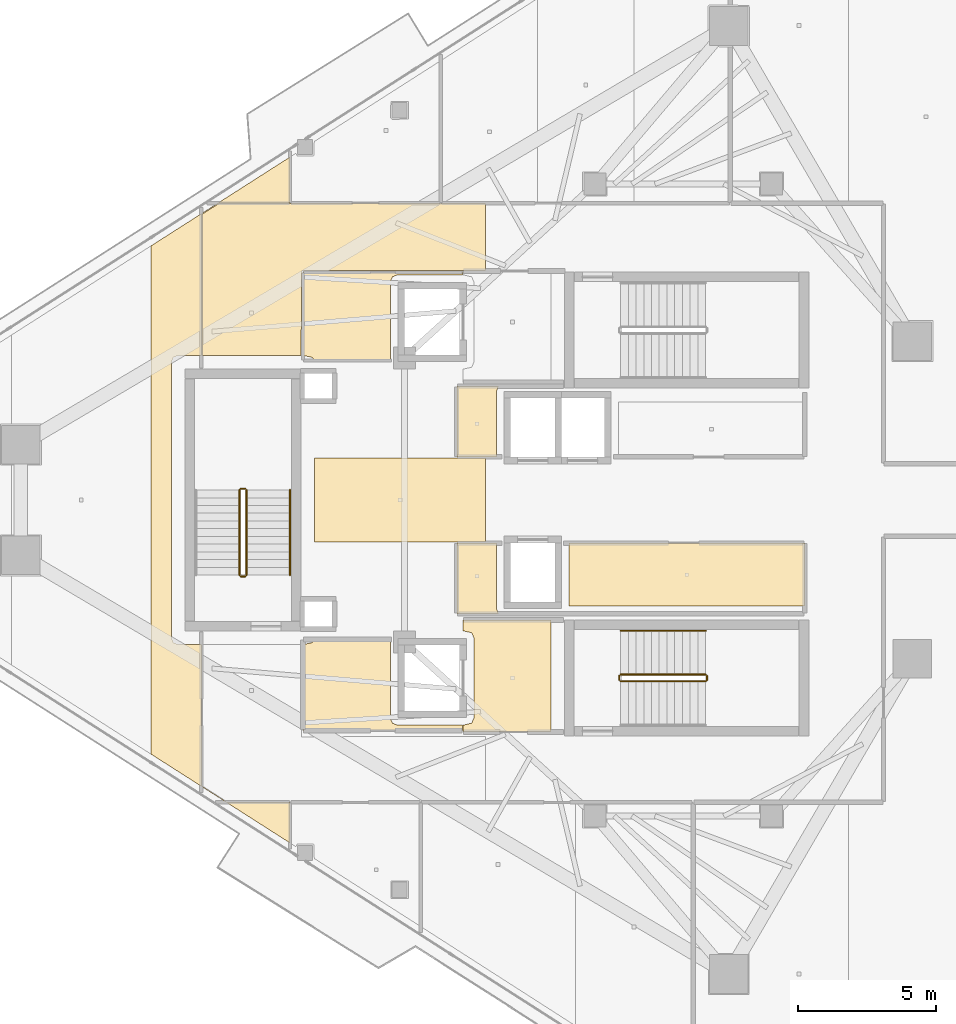
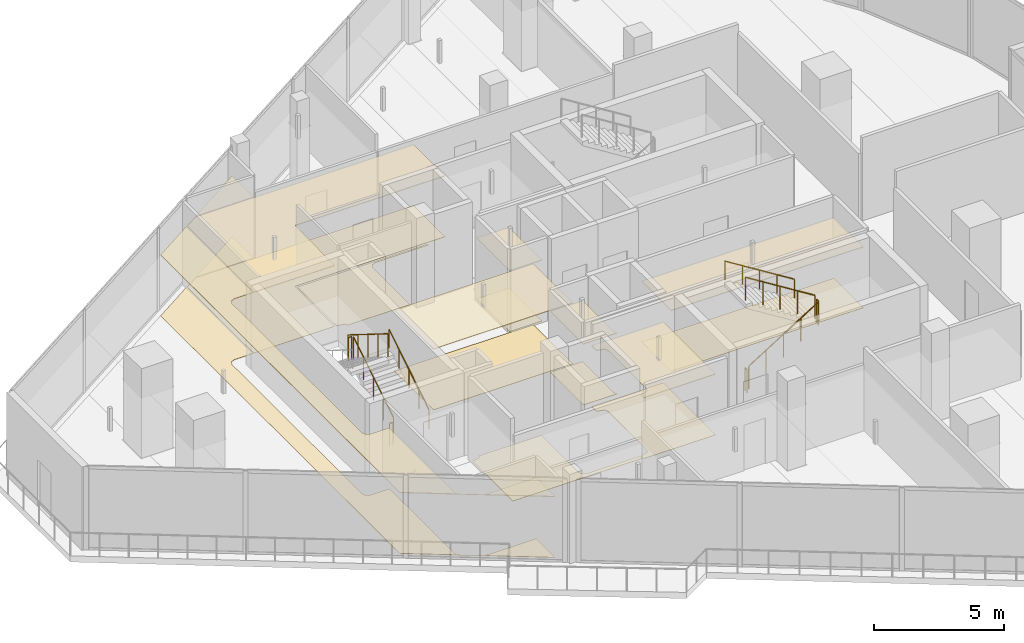
# One storey, part 24 of 27: 16 coverings, 10 railings.
"""IFC4 building model written with IfcOpenShell, lengths in metres."""

from ifc_helpers import new_model, si_unit, direction, frame, origin, origin_2d, place, context, subcontext, project, spatial, polyline, circle, outline, extrude, material, layer, layer_set, type_object, element, save


model = new_model("IFC4")

# Units and contexts
model_context = context("Model", 3, precision=1e-05, world=origin(), true_north=direction((0.0, 1.0)))
body_context = subcontext(model_context, "Body", "Model", "MODEL_VIEW")
ifc_project = project(units=[si_unit("LENGTHUNIT", "METRE"), si_unit("AREAUNIT", "SQUARE_METRE"), si_unit("VOLUMEUNIT", "CUBIC_METRE"), si_unit("PLANEANGLEUNIT", "RADIAN"), si_unit("MASSUNIT", "GRAM", prefix="KILO")], contexts=[model_context])

# Site, building, storey
site_placement = place(None, origin())
site = spatial("IfcSite", under=ifc_project, at=site_placement, CompositionType="ELEMENT")
building_placement = place(site_placement, origin())
building = spatial("IfcBuilding", under=site, at=building_placement, Name="Qorvath Tower", CompositionType="ELEMENT")
storey_placement = place(building_placement, frame((0.0, 0.0, 293.39990234375)))
storey = spatial("IfcBuildingStorey", under=building, at=storey_placement, Name="L68", CompositionType="ELEMENT", Elevation=293.39990234375)

# Coverings
ifc_material_1 = material(Name="Acoustic mineral fibre ceiling tile", Category="gypsum")
ifc_layer_1 = layer(ifc_material_1, 0.030029296875)
ifc_layer_set_1 = layer_set([ifc_layer_1], Name="COV-CEIL")
covering_type_1 = type_object("IfcCoveringType", Name="COV-CEIL", PredefinedType="CEILING", material=ifc_layer_set_1)
covering_1_placement = place(storey_placement, frame((0.0, 0.0, 2.85009765625)))
element("IfcCovering", 1, at=covering_1_placement, inside=storey, type_object=covering_type_1, Name="L68 Suspended Acoustic Ceiling 002", PredefinedType="CEILING", context=body_context, shape_type="SweptSolid", body=[
    extrude(outline(polyline([(-25.18994140625, -8.39501953125), (-25.18994140625, -4.35498046875), (-28.375, -4.35498046875), (-28.375, -4.739990234375), (-28.063232421875, -4.813232421875), (-27.989990234375, -4.989990234375), (-27.989990234375, -7.909912109375), (-28.063232421875, -8.086669921875), (-28.375, -8.159912109375), (-28.375, -8.39501953125), (-25.18994140625, -8.39501953125)])), origin(), (0.0, 0.0, 1.0), 0.030029296875),
])
covering_2_placement = place(storey_placement, frame((0.0, 0.0, 2.85009765625)))
element("IfcCovering", 2, at=covering_2_placement, inside=storey, type_object=covering_type_1, Name="L68 Suspended Acoustic Ceiling 004", PredefinedType="CEILING", context=body_context, shape_type="SweptSolid", body=[
    extrude(outline(polyline([(-27.159912109375, 1.56494140625), (-27.159912109375, 3.9599609375), (-27.095703125, 4.114990234375), (-28.594970703125, 4.114990234375), (-28.594970703125, 1.56494140625), (-27.159912109375, 1.56494140625)])), origin(), (0.0, 0.0, 1.0), 0.030029296875),
])
covering_3_placement = place(storey_placement, frame((0.0, 0.0, 2.85009765625)))
element("IfcCovering", 3, at=covering_3_placement, inside=storey, type_object=covering_type_1, Name="L68 Suspended Acoustic Ceiling 005", PredefinedType="CEILING", context=body_context, shape_type="SweptSolid", body=[
    extrude(outline(polyline([(-24.5400390625, -1.56494140625), (-24.5400390625, -3.85009765625), (-16.0048828125, -3.85009765625), (-16.0048828125, -1.56494140625), (-24.5400390625, -1.56494140625)])), origin(), (0.0, 0.0, 1.0), 0.030029296875),
])
covering_4_placement = place(storey_placement, frame((0.0, 0.0, 2.85009765625)))
element("IfcCovering", 4, at=covering_4_placement, inside=storey, type_object=covering_type_1, Name="L68 Suspended Acoustic Ceiling 006", PredefinedType="CEILING", context=body_context, shape_type="SweptSolid", body=[
    extrude(outline(polyline([(-27.095703125, -4.114990234375), (-27.159912109375, -3.9599609375), (-27.159912109375, -1.56494140625), (-28.594970703125, -1.56494140625), (-28.594970703125, -4.114990234375), (-27.095703125, -4.114990234375)])), origin(), (0.0, 0.0, 1.0), 0.030029296875),
])
covering_5_placement = place(storey_placement, frame((0.0, 0.0, 2.85009765625)))
element("IfcCovering", 5, at=covering_5_placement, inside=storey, type_object=covering_type_1, Name="L68 Suspended Acoustic Ceiling 010", PredefinedType="CEILING", context=body_context, shape_type="SweptSolid", body=[
    extrude(outline(polyline([(-27.567138671875, 8.324951171875), (-27.567138671875, 10.7451171875), (-37.2265625, 10.7451171875), (-37.844970703125, 10.349853515625), (-37.844970703125, 5.239990234375), (-34.2509765625, 5.239990234375), (-34.219970703125, 8.324951171875), (-27.567138671875, 8.324951171875)])), origin(), (0.0, 0.0, 1.0), 0.030029296875),
])
covering_6_placement = place(storey_placement, frame((0.0, 0.0, 2.85009765625)))
element("IfcCovering", 6, at=covering_6_placement, inside=storey, type_object=covering_type_1, Name="L68 Suspended Acoustic Ceiling 011", PredefinedType="CEILING", context=body_context, shape_type="SweptSolid", body=[
    extrude(outline(polyline([(-27.567138671875, -1.514892578125), (-27.567138671875, 1.514892578125), (-33.760009765625, 1.514892578125), (-33.760009765625, -1.514892578125), (-27.567138671875, -1.514892578125)])), origin(), (0.0, 0.0, 1.0), 0.030029296875),
])
covering_7_placement = place(storey_placement, frame((0.0, 0.0, 2.85009765625)))
element("IfcCovering", 7, at=covering_7_placement, inside=storey, type_object=covering_type_1, Name="L68 Suspended Acoustic Ceiling 014", PredefinedType="CEILING", context=body_context, shape_type="SweptSolid", body=[
    extrude(outline(polyline([(-34.655029296875, 10.762939453125), (-34.655029296875, 12.424072265625), (-39.695068359375, 9.202880859375), (-39.695068359375, -9.202880859375), (-34.655029296875, -12.424072265625), (-34.655029296875, -10.962890625), (-36.91748046875, -10.962890625), (-37.863037109375, -10.35693359375), (-37.863037109375, -5.239990234375), (-38.699951171875, -5.239990234375), (-38.876708984375, -5.166748046875), (-38.949951171875, -4.989990234375), (-38.949951171875, 4.989990234375), (-38.876708984375, 5.166748046875), (-38.699951171875, 5.239990234375), (-37.863037109375, 5.239990234375), (-37.860595703125, 10.361083984375), (-37.23046875, 10.762939453125), (-34.655029296875, 10.762939453125)])), origin(), (0.0, 0.0, 1.0), 0.030029296875),
])
ifc_material_2 = material(Name="Low-VOC modular carpet tile", Category="textile")
ifc_layer_2 = layer(ifc_material_2, 0.014892578125)
ifc_layer_set_2 = layer_set([ifc_layer_2], Name="COV-FLOOR-CPT")
covering_type_2 = type_object("IfcCoveringType", Name="COV-FLOOR-CPT", PredefinedType="FLOORING", material=ifc_layer_set_2)
covering_8_placement = place(storey_placement, origin())
element("IfcCovering", 8, at=covering_8_placement, inside=storey, type_object=covering_type_2, Name="L68 Floor Finish 004", PredefinedType="FLOORING", context=body_context, shape_type="SweptSolid", body=[
    extrude(outline(polyline([(-27.159912109375, 1.56494140625), (-27.159912109375, 3.9599609375), (-27.095703125, 4.114990234375), (-28.594970703125, 4.114990234375), (-28.594970703125, 1.56494140625), (-27.159912109375, 1.56494140625)])), origin(), (0.0, 0.0, 1.0), 0.01513671875),
])
covering_9_placement = place(storey_placement, origin())
element("IfcCovering", 9, at=covering_9_placement, inside=storey, type_object=covering_type_2, Name="L68 Floor Finish 005", PredefinedType="FLOORING", context=body_context, shape_type="SweptSolid", body=[
    extrude(outline(polyline([(-24.5400390625, -1.56494140625), (-24.5400390625, -3.85009765625), (-16.0048828125, -3.85009765625), (-16.0048828125, -1.56494140625), (-24.5400390625, -1.56494140625)])), origin(), (0.0, 0.0, 1.0), 0.01513671875),
])
covering_10_placement = place(storey_placement, origin())
element("IfcCovering", 10, at=covering_10_placement, inside=storey, type_object=covering_type_2, Name="L68 Floor Finish 006", PredefinedType="FLOORING", context=body_context, shape_type="SweptSolid", body=[
    extrude(outline(polyline([(-27.095703125, -4.114990234375), (-27.159912109375, -3.9599609375), (-27.159912109375, -1.56494140625), (-28.594970703125, -1.56494140625), (-28.594970703125, -4.114990234375), (-27.095703125, -4.114990234375)])), origin(), (0.0, 0.0, 1.0), 0.01513671875),
])
covering_11_placement = place(storey_placement, origin())
element("IfcCovering", 11, at=covering_11_placement, inside=storey, type_object=covering_type_2, Name="L68 Floor Finish 008", PredefinedType="FLOORING", context=body_context, shape_type="SweptSolid", body=[
    extrude(outline(polyline([(-33.786865234375, -5.054931640625), (-33.833251953125, -5.166748046875), (-34.175048828125, -5.239990234375), (-34.175048828125, -8.344970703125), (-28.39306640625, -8.344970703125), (-28.39306640625, -8.159912109375), (-30.760009765625, -8.159912109375), (-30.936767578125, -8.086669921875), (-31.010009765625, -7.909912109375), (-31.010009765625, -5.054931640625), (-33.786865234375, -5.054931640625)])), origin(), (0.0, 0.0, 1.0), 0.01513671875),
])
covering_12_placement = place(storey_placement, origin())
element("IfcCovering", 12, at=covering_12_placement, inside=storey, type_object=covering_type_2, Name="L68 Floor Finish 014", PredefinedType="FLOORING", context=body_context, shape_type="SweptSolid", body=[
    extrude(outline(polyline([(-34.655029296875, 10.762939453125), (-34.655029296875, 12.424072265625), (-39.695068359375, 9.202880859375), (-39.695068359375, -9.202880859375), (-34.655029296875, -12.424072265625), (-34.655029296875, -10.962890625), (-36.91748046875, -10.962890625), (-37.863037109375, -10.35693359375), (-37.863037109375, -5.239990234375), (-38.699951171875, -5.239990234375), (-38.876708984375, -5.166748046875), (-38.949951171875, -4.989990234375), (-38.949951171875, 4.989990234375), (-38.876708984375, 5.166748046875), (-38.699951171875, 5.239990234375), (-37.863037109375, 5.239990234375), (-37.860595703125, 10.361083984375), (-37.23046875, 10.762939453125), (-34.655029296875, 10.762939453125)])), origin(), (0.0, 0.0, 1.0), 0.01513671875),
])
ifc_material_3 = material(Name="Polished epoxy terrazzo flooring", Category="concrete")
ifc_layer_3 = layer(ifc_material_3, 0.02001953125)
ifc_layer_set_3 = layer_set([ifc_layer_3], Name="COV-FLOOR-TRZ")
covering_type_3 = type_object("IfcCoveringType", Name="COV-FLOOR-TRZ", PredefinedType="FLOORING", material=ifc_layer_set_3)
covering_13_placement = place(storey_placement, origin())
element("IfcCovering", 13, at=covering_13_placement, inside=storey, type_object=covering_type_3, Name="L68 Floor Finish 002", PredefinedType="FLOORING", context=body_context, shape_type="SweptSolid", body=[
    extrude(outline(polyline([(-25.18994140625, -8.39501953125), (-25.18994140625, -4.35498046875), (-28.375, -4.35498046875), (-28.375, -4.739990234375), (-28.063232421875, -4.813232421875), (-27.989990234375, -4.989990234375), (-27.989990234375, -7.909912109375), (-28.063232421875, -8.086669921875), (-28.375, -8.159912109375), (-28.375, -8.39501953125), (-25.18994140625, -8.39501953125)])), origin(), (0.0, 0.0, 1.0), 0.01513671875),
])
covering_14_placement = place(storey_placement, origin())
element("IfcCovering", 14, at=covering_14_placement, inside=storey, type_object=covering_type_3, Name="L68 Floor Finish 007", PredefinedType="FLOORING", context=body_context, shape_type="SweptSolid", body=[
    extrude(outline(polyline([(-31.010009765625, 5.054931640625), (-31.010009765625, 7.909912109375), (-30.936767578125, 8.086669921875), (-30.760009765625, 8.159912109375), (-28.39306640625, 8.159912109375), (-28.39306640625, 8.2451171875), (-34.175048828125, 8.2451171875), (-34.175048828125, 5.239990234375), (-33.833251953125, 5.166748046875), (-33.786865234375, 5.054931640625), (-31.010009765625, 5.054931640625)])), origin(), (0.0, 0.0, 1.0), 0.01513671875),
])
covering_15_placement = place(storey_placement, origin())
element("IfcCovering", 15, at=covering_15_placement, inside=storey, type_object=covering_type_3, Name="L68 Floor Finish 010", PredefinedType="FLOORING", context=body_context, shape_type="SweptSolid", body=[
    extrude(outline(polyline([(-27.567138671875, 8.324951171875), (-27.567138671875, 10.7451171875), (-37.2265625, 10.7451171875), (-37.844970703125, 10.349853515625), (-37.844970703125, 5.239990234375), (-34.2509765625, 5.239990234375), (-34.219970703125, 8.324951171875), (-27.567138671875, 8.324951171875)])), origin(), (0.0, 0.0, 1.0), 0.01513671875),
])
covering_16_placement = place(storey_placement, origin())
element("IfcCovering", 16, at=covering_16_placement, inside=storey, type_object=covering_type_3, Name="L68 Floor Finish 011", PredefinedType="FLOORING", context=body_context, shape_type="SweptSolid", body=[
    extrude(outline(polyline([(-27.567138671875, -1.514892578125), (-27.567138671875, 1.514892578125), (-33.760009765625, 1.514892578125), (-33.760009765625, -1.514892578125), (-27.567138671875, -1.514892578125)])), origin(), (0.0, 0.0, 1.0), 0.01513671875),
])

# Railings
ifc_material_4 = material(Name="Painted galvanised steel", Category="steel")
railing_type_1 = type_object("IfcRailingType", Name="RL-STR-GRD", PredefinedType="GUARDRAIL", material=ifc_material_4)
railing_1_placement = place(storey_placement, frame((-22.669921875, -6.570068359375, 0.175048828125)))
element("IfcRailing", 17, at=railing_1_placement, inside=storey, type_object=railing_type_1, Name="L68 TS2 stair guard 1", PredefinedType="GUARDRAIL", context=body_context, shape_type="SweptSolid", body=[
    extrude(circle(Radius=0.02392578125, at=origin_2d()), frame((0.0, 0.0, 1.076171875), z_axis=(0.847979421464, 0.0, 0.530029150871), x_axis=(0.0, 1.0, 0.0)), (0.0, 0.0, 1.0), 3.632080078125),
    extrude(circle(Radius=0.02099609375, at=origin_2d()), origin(), (0.0, 0.0, 1.0), 1.052001953125),
    extrude(circle(Radius=0.02099609375, at=origin_2d()), frame((0.77001953125, 0.0, 0.481201171875)), (0.0, 0.0, 1.0), 1.052001953125),
    extrude(circle(Radius=0.02099609375, at=origin_2d()), frame((1.5400390625, 0.0, 0.96240234375)), (0.0, 0.0, 1.0), 1.052001953125),
    extrude(circle(Radius=0.02099609375, at=origin_2d()), frame((2.309814453125, 0.0, 1.44384765625)), (0.0, 0.0, 1.0), 1.052001953125),
    extrude(circle(Radius=0.02099609375, at=origin_2d()), frame((3.079833984375, 0.0, 1.925048828125)), (0.0, 0.0, 1.0), 1.052001953125),
])
railing_2_placement = place(storey_placement, frame((-19.5400390625, -6.52001953125, 2.10009765625)))
element("IfcRailing", 18, at=railing_2_placement, inside=storey, type_object=railing_type_1, Name="L68 TS2 stair guard 2", PredefinedType="GUARDRAIL", context=body_context, shape_type="SweptSolid", body=[
    extrude(circle(Radius=0.02392578125, at=origin_2d()), frame((0.0, 0.0, 1.076171875), z_axis=(0.0, 1.0, 0.0), x_axis=(-1.0, 0.0, 0.0)), (0.0, 0.0, 1.0), 0.14990234375),
    extrude(circle(Radius=0.02099609375, at=origin_2d()), origin(), (0.0, 0.0, 1.0), 1.052001953125),
    extrude(circle(Radius=0.02099609375, at=origin_2d()), frame((0.0, 0.14990234375, 0.0)), (0.0, 0.0, 1.0), 1.052001953125),
])
railing_3_placement = place(storey_placement, frame((-19.590087890625, -6.320068359375, 2.275146484375)))
element("IfcRailing", 19, at=railing_3_placement, inside=storey, type_object=railing_type_1, Name="L68 TS2 stair guard 3", PredefinedType="GUARDRAIL", context=body_context, shape_type="SweptSolid", body=[
    extrude(circle(Radius=0.02392578125, at=origin_2d()), frame((0.0, 0.0, 1.076171875), z_axis=(-0.847979421464, 0.0, 0.530029150871), x_axis=(0.0, -1.0, 0.0)), (0.0, 0.0, 1.0), 3.632080078125),
    extrude(circle(Radius=0.02099609375, at=origin_2d()), origin(), (0.0, 0.0, 1.0), 1.052001953125),
    extrude(circle(Radius=0.02099609375, at=origin_2d()), frame((-0.77001953125, 0.0, 0.481201171875)), (0.0, 0.0, 1.0), 1.052001953125),
    extrude(circle(Radius=0.02099609375, at=origin_2d()), frame((-1.5400390625, 0.0, 0.96240234375)), (0.0, 0.0, 1.0), 1.052001953125),
    extrude(circle(Radius=0.02099609375, at=origin_2d()), frame((-2.309814453125, 0.0, 1.44384765625)), (0.0, 0.0, 1.0), 1.052001953125),
    extrude(circle(Radius=0.02099609375, at=origin_2d()), frame((-3.079833984375, 0.0, 1.925048828125)), (0.0, 0.0, 1.0), 1.052001953125),
])
railing_4_placement = place(storey_placement, frame((-22.719970703125, -6.52001953125, 0.0)))
element("IfcRailing", 20, at=railing_4_placement, inside=storey, type_object=railing_type_1, Name="L68 TS2 stair guard 4", PredefinedType="GUARDRAIL", context=body_context, shape_type="SweptSolid", body=[
    extrude(circle(Radius=0.02392578125, at=origin_2d()), frame((0.0, 0.0, 1.076171875), z_axis=(0.0, 1.0, 0.0), x_axis=(-1.0, 0.0, 0.0)), (0.0, 0.0, 1.0), 0.14990234375),
    extrude(circle(Radius=0.02099609375, at=origin_2d()), origin(), (0.0, 0.0, 1.0), 1.052001953125),
    extrude(circle(Radius=0.02099609375, at=origin_2d()), frame((0.0, 0.14990234375, 0.0)), (0.0, 0.0, 1.0), 1.052001953125),
])
railing_5_placement = place(storey_placement, frame((-36.22998046875, -2.719970703125, 0.175048828125)))
element("IfcRailing", 21, at=railing_5_placement, inside=storey, type_object=railing_type_1, Name="L68 TS3 stair guard 1", PredefinedType="GUARDRAIL", context=body_context, shape_type="SweptSolid", body=[
    extrude(circle(Radius=0.02392578125, at=origin_2d()), frame((0.0, 0.0, 1.076171875), z_axis=(0.0, 0.847998304005, 0.529998940003), x_axis=(-1.0, 0.0, 0.0)), (0.0, 0.0, 1.0), 3.632080078125),
    extrude(circle(Radius=0.02099609375, at=origin_2d()), origin(), (0.0, 0.0, 1.0), 1.052001953125),
    extrude(circle(Radius=0.02099609375, at=origin_2d()), frame((0.0, 0.77001953125, 0.481201171875)), (0.0, 0.0, 1.0), 1.052001953125),
    extrude(circle(Radius=0.02099609375, at=origin_2d()), frame((0.0, 1.5400390625, 0.96240234375)), (0.0, 0.0, 1.0), 1.052001953125),
    extrude(circle(Radius=0.02099609375, at=origin_2d()), frame((0.0, 2.31005859375, 1.44384765625)), (0.0, 0.0, 1.0), 1.052001953125),
    extrude(circle(Radius=0.02099609375, at=origin_2d()), frame((0.0, 3.080078125, 1.925048828125)), (0.0, 0.0, 1.0), 1.052001953125),
])
railing_6_placement = place(storey_placement, frame((-36.280029296875, 0.409912109375, 2.10009765625)))
element("IfcRailing", 22, at=railing_6_placement, inside=storey, type_object=railing_type_1, Name="L68 TS3 stair guard 2", PredefinedType="GUARDRAIL", context=body_context, shape_type="SweptSolid", body=[
    extrude(circle(Radius=0.02392578125, at=origin_2d()), frame((0.0, 0.0, 1.076171875), z_axis=(-1.0, 0.0, 0.0), x_axis=(0.0, -1.0, 0.0)), (0.0, 0.0, 1.0), 0.14990234375),
    extrude(circle(Radius=0.02099609375, at=origin_2d()), origin(), (0.0, 0.0, 1.0), 1.052001953125),
    extrude(circle(Radius=0.02099609375, at=origin_2d()), frame((-0.14990234375, 0.0, 0.0)), (0.0, 0.0, 1.0), 1.052001953125),
])
railing_7_placement = place(storey_placement, frame((-36.47998046875, 0.360107421875, 2.275146484375)))
element("IfcRailing", 23, at=railing_7_placement, inside=storey, type_object=railing_type_1, Name="L68 TS3 stair guard 3", PredefinedType="GUARDRAIL", context=body_context, shape_type="SweptSolid", body=[
    extrude(circle(Radius=0.02392578125, at=origin_2d()), frame((0.0, 0.0, 1.076171875), z_axis=(0.0, -0.847998304005, 0.529998940003), x_axis=(1.0, 0.0, 0.0)), (0.0, 0.0, 1.0), 3.632080078125),
    extrude(circle(Radius=0.02099609375, at=origin_2d()), origin(), (0.0, 0.0, 1.0), 1.052001953125),
    extrude(circle(Radius=0.02099609375, at=origin_2d()), frame((0.0, -0.77001953125, 0.481201171875)), (0.0, 0.0, 1.0), 1.052001953125),
    extrude(circle(Radius=0.02099609375, at=origin_2d()), frame((0.0, -1.5400390625, 0.96240234375)), (0.0, 0.0, 1.0), 1.052001953125),
    extrude(circle(Radius=0.02099609375, at=origin_2d()), frame((0.0, -2.31005859375, 1.44384765625)), (0.0, 0.0, 1.0), 1.052001953125),
    extrude(circle(Radius=0.02099609375, at=origin_2d()), frame((0.0, -3.080078125, 1.925048828125)), (0.0, 0.0, 1.0), 1.052001953125),
])
railing_8_placement = place(storey_placement, frame((-36.280029296875, -2.77001953125, 0.0)))
element("IfcRailing", 24, at=railing_8_placement, inside=storey, type_object=railing_type_1, Name="L68 TS3 stair guard 4", PredefinedType="GUARDRAIL", context=body_context, shape_type="SweptSolid", body=[
    extrude(circle(Radius=0.02392578125, at=origin_2d()), frame((0.0, 0.0, 1.076171875), z_axis=(-1.0, 0.0, 0.0), x_axis=(0.0, -1.0, 0.0)), (0.0, 0.0, 1.0), 0.14990234375),
    extrude(circle(Radius=0.02099609375, at=origin_2d()), origin(), (0.0, 0.0, 1.0), 1.052001953125),
    extrude(circle(Radius=0.02099609375, at=origin_2d()), frame((-0.14990234375, 0.0, 0.0)), (0.0, 0.0, 1.0), 1.052001953125),
])
ifc_material_5 = material(Name="Brushed stainless steel AISI 304", Category="steel")
railing_type_2 = type_object("IfcRailingType", Name="RL-STR-HND", PredefinedType="HANDRAIL", material=ifc_material_5)
railing_9_placement = place(storey_placement, frame((-19.590087890625, -4.739990234375, 2.275146484375)))
element("IfcRailing", 25, at=railing_9_placement, inside=storey, type_object=railing_type_2, Name="L68 TS2 stair handrail 2", PredefinedType="HANDRAIL", context=body_context, shape_type="SweptSolid", body=[
    extrude(circle(Radius=0.02392578125, at=origin_2d()), frame((0.0, 0.0, 0.8759765625), z_axis=(-0.847979421464, 0.0, 0.530029150871), x_axis=(0.0, -1.0, 0.0)), (0.0, 0.0, 1.0), 3.632080078125),
    extrude(circle(Radius=0.02099609375, at=origin_2d()), origin(), (0.0, 0.0, 1.0), 0.851806640625),
    extrude(circle(Radius=0.02099609375, at=origin_2d()), frame((-0.77001953125, 0.0, 0.481201171875)), (0.0, 0.0, 1.0), 0.851806640625),
    extrude(circle(Radius=0.02099609375, at=origin_2d()), frame((-1.5400390625, 0.0, 0.96240234375)), (0.0, 0.0, 1.0), 0.851806640625),
    extrude(circle(Radius=0.02099609375, at=origin_2d()), frame((-2.309814453125, 0.0, 1.44384765625)), (0.0, 0.0, 1.0), 0.851806640625),
    extrude(circle(Radius=0.02099609375, at=origin_2d()), frame((-3.079833984375, 0.0, 1.925048828125)), (0.0, 0.0, 1.0), 0.851806640625),
])
railing_10_placement = place(storey_placement, frame((-34.64990234375, -2.719970703125, 0.175048828125)))
element("IfcRailing", 26, at=railing_10_placement, inside=storey, type_object=railing_type_2, Name="L68 TS3 stair handrail 1", PredefinedType="HANDRAIL", context=body_context, shape_type="SweptSolid", body=[
    extrude(circle(Radius=0.02392578125, at=origin_2d()), frame((0.0, 0.0, 0.8759765625), z_axis=(0.0, 0.847998304005, 0.529998940003), x_axis=(-1.0, 0.0, 0.0)), (0.0, 0.0, 1.0), 3.632080078125),
    extrude(circle(Radius=0.02099609375, at=origin_2d()), origin(), (0.0, 0.0, 1.0), 0.851806640625),
    extrude(circle(Radius=0.02099609375, at=origin_2d()), frame((0.0, 0.77001953125, 0.481201171875)), (0.0, 0.0, 1.0), 0.851806640625),
    extrude(circle(Radius=0.02099609375, at=origin_2d()), frame((0.0, 1.5400390625, 0.96240234375)), (0.0, 0.0, 1.0), 0.851806640625),
    extrude(circle(Radius=0.02099609375, at=origin_2d()), frame((0.0, 2.31005859375, 1.44384765625)), (0.0, 0.0, 1.0), 0.851806640625),
    extrude(circle(Radius=0.02099609375, at=origin_2d()), frame((0.0, 3.080078125, 1.925048828125)), (0.0, 0.0, 1.0), 0.851806640625),
])

save(model, "model.ifc")
